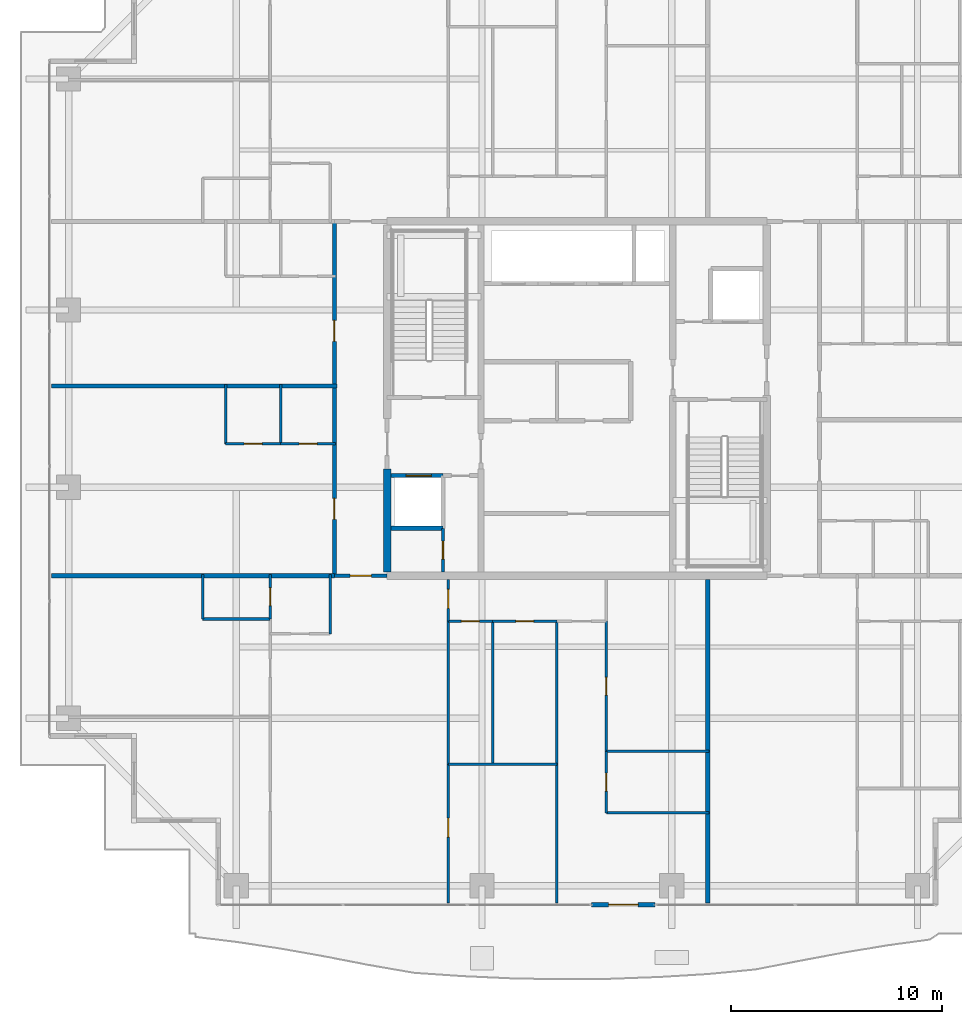
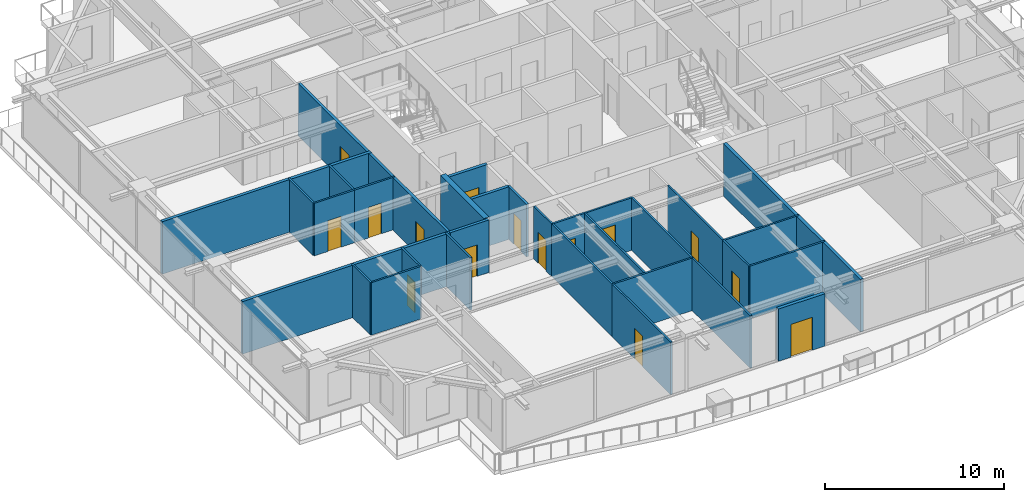
# One storey, part 26 of 38: 30 walls, 15 doors, 15 openings.
"""IFC4 building model written with IfcOpenShell, lengths in metres."""

import ifcopenshell
import ifcopenshell.guid

model = None  # the IFC model being written
_history = None  # IfcOwnerHistory: only IFC2X3 demands one
_inside = {}  # id of a spatial element -> (the spatial element, [elements in it])
_under = {}  # id of a project, library or spatial element -> (it, [spatial elements below it])
_declared = {}  # id of a project -> (the project, [libraries it declares])
_typed = {}  # id of a type object -> (the type object, [elements of that type])
_made_of = {}  # id of a material, layer set ... -> (it, [elements and type objects made of it])


def new_model(schema):
    """Start an empty IFC model of exactly this schema.

    Asked for "IFC4X3", IfcOpenShell would pick the latest addendum, in which some entities
    have other attributes; the version numbers below select the first issue.
    IFC2X3 requires an IfcOwnerHistory on every rooted entity: one is made here for all.
    """
    global model, _history
    if schema == "IFC4X3":
        model = ifcopenshell.file(schema_version=(4, 3, 0, 0))
    else:
        model = ifcopenshell.file(schema=schema)
    _inside.clear()
    _under.clear()
    _declared.clear()
    _typed.clear()
    _made_of.clear()
    _history = None
    if model.schema == "IFC2X3":
        org = make("IfcOrganization", Name="unknown")
        user = make(
            "IfcPersonAndOrganization",
            ThePerson=make("IfcPerson", FamilyName="unknown"),
            TheOrganization=org,
        )
        app = make(
            "IfcApplication",
            ApplicationDeveloper=org,
            Version="unknown",
            ApplicationFullName="unknown",
            ApplicationIdentifier="unknown",
        )
        _history = make(
            "IfcOwnerHistory",
            OwningUser=user,
            OwningApplication=app,
            ChangeAction="ADDED",
            CreationDate=0,
        )
    return model


def make(cls, **values):
    """One entity of the class cls with the attributes given. An attribute that is None is left unset."""
    return model.create_entity(
        cls, **{name: value for name, value in values.items() if value is not None}
    )


def rooted(cls, **values):
    """An entity with a GlobalId (a new one), such as an element, a storey or a relation."""
    return make(cls, GlobalId=ifcopenshell.guid.new(), OwnerHistory=_history, **values)


def si_unit(unit_type, name, prefix=None):
    """IfcSIUnit, for example si_unit("LENGTHUNIT", "METRE", prefix="MILLI")."""
    return make("IfcSIUnit", UnitType=unit_type, Prefix=prefix, Name=name)


def assignment(units):
    """IfcUnitAssignment: the units of a project."""
    return None if units is None else make("IfcUnitAssignment", Units=units)


def point(xyz):
    """IfcCartesianPoint."""
    return None if xyz is None else make("IfcCartesianPoint", Coordinates=xyz)


def direction(xyz):
    """IfcDirection."""
    return None if xyz is None else make("IfcDirection", DirectionRatios=xyz)


def frame(location, z_axis=None, x_axis=None):
    """IfcAxis2Placement3D, a coordinate frame: its origin and axes. An axis left out is left unset."""
    return make(
        "IfcAxis2Placement3D",
        Location=point(location),
        Axis=direction(z_axis),
        RefDirection=direction(x_axis),
    )


def frame_2d(location, x_axis=None):
    """IfcAxis2Placement2D, a coordinate frame in the plane: its origin and x axis."""
    return make(
        "IfcAxis2Placement2D", Location=point(location), RefDirection=direction(x_axis)
    )


def origin():
    """The frame at (0, 0, 0) with its axes left unset."""
    return frame((0.0, 0.0, 0.0))


def place(relative_to, where):
    """IfcLocalPlacement: puts the frame where relative to a parent placement (None: the world)."""
    return make(
        "IfcLocalPlacement", PlacementRelTo=relative_to, RelativePlacement=where
    )


def context(
    kind, dimensions, precision=None, world=None, true_north=None, identifier=None
):
    """IfcGeometricRepresentationContext, for example the 3D "Model" context."""
    return make(
        "IfcGeometricRepresentationContext",
        ContextIdentifier=identifier,
        ContextType=kind,
        CoordinateSpaceDimension=dimensions,
        Precision=precision,
        WorldCoordinateSystem=world,
        TrueNorth=true_north,
    )


def subcontext(parent, identifier, kind, view, scale=None):
    """IfcGeometricRepresentationSubContext, for example "Body" below "Model"."""
    return make(
        "IfcGeometricRepresentationSubContext",
        ContextIdentifier=identifier,
        ContextType=kind,
        ParentContext=parent,
        TargetScale=scale,
        TargetView=view,
    )


def project(units=None, contexts=None):
    """IfcProject with its units and contexts."""
    return rooted(
        "IfcProject",
        Name="project",
        RepresentationContexts=contexts,
        UnitsInContext=assignment(units),
    )


def spatial(cls, under=None, at=None, **own):
    """A site, building, storey or space (cls), placed at a placement, below another one or the project."""
    s = rooted(cls, ObjectPlacement=at, **own)
    if under is not None:
        _under.setdefault(under.id(), (under, []))[1].append(s)
    return s


def profile(cls, at=None, kind="AREA", **sizes):
    """A parametric profile (cls). Its sizes go by their IFC names, for example OverallWidth=200.0."""
    return make(cls, ProfileType=kind, Position=at, **sizes)


def rectangle(**sizes):
    """IfcRectangleProfileDef."""
    return profile("IfcRectangleProfileDef", **sizes)


def extrude(swept, where, along, depth):
    """IfcExtrudedAreaSolid: the profile swept, set in the frame where, extruded along a direction by depth."""
    return make(
        "IfcExtrudedAreaSolid",
        SweptArea=swept,
        Position=where,
        ExtrudedDirection=direction(along),
        Depth=depth,
    )


def shape(context_of_items, identifier, shape_type, items):
    """IfcShapeRepresentation: the items that make up one representation, for example the "Body"."""
    return make(
        "IfcShapeRepresentation",
        ContextOfItems=context_of_items,
        RepresentationIdentifier=identifier,
        RepresentationType=shape_type,
        Items=items,
    )


def source(mapping_origin, context_of_items, identifier, shape_type, items):
    """IfcRepresentationMap: a shape defined once, which mapped items show again and again."""
    return make(
        "IfcRepresentationMap",
        MappingOrigin=mapping_origin,
        MappedRepresentation=shape(context_of_items, identifier, shape_type, items),
    )


def transform(
    local_origin,
    x_axis=None,
    y_axis=None,
    z_axis=None,
    scale=None,
    scale2=None,
    scale3=None,
    uniform=True,
):
    """IfcCartesianTransformationOperator3D, or its non-uniform kind. x_axis, y_axis, z_axis: its Axis1, 2, 3."""
    if uniform:
        return make(
            "IfcCartesianTransformationOperator3D",
            Axis1=direction(x_axis),
            Axis2=direction(y_axis),
            LocalOrigin=point(local_origin),
            Scale=scale,
            Axis3=direction(z_axis),
        )
    return make(
        "IfcCartesianTransformationOperator3DnonUniform",
        Axis1=direction(x_axis),
        Axis2=direction(y_axis),
        LocalOrigin=point(local_origin),
        Scale=scale,
        Axis3=direction(z_axis),
        Scale2=scale2,
        Scale3=scale3,
    )


def mapped(mapping_source, mapping_target):
    """IfcMappedItem: shows the shape of a source again, moved by a transform."""
    return make(
        "IfcMappedItem", MappingSource=mapping_source, MappingTarget=mapping_target
    )


def material(Name=None, Category=None):
    """IfcMaterial."""
    return make("IfcMaterial", Name=Name, Category=Category)


def layer(
    of_material, thickness, ventilated=None, Name=None, Category=None, Priority=None
):
    """IfcMaterialLayer: one layer of a wall or slab, of a material (None: an air gap)."""
    return make(
        "IfcMaterialLayer",
        Material=of_material,
        LayerThickness=thickness,
        IsVentilated=ventilated,
        Name=Name,
        Category=Category,
        Priority=Priority,
    )


def layer_set(layers, Name=None):
    """IfcMaterialLayerSet."""
    return make("IfcMaterialLayerSet", MaterialLayers=layers, LayerSetName=Name)


def made_of(thing, what):
    """Note that an element or type object is made of a material, layer set ...; save() writes the relation."""
    if what is not None:
        _made_of.setdefault(what.id(), (what, []))[1].append(thing)
    return thing


def type_object(cls, material=None, **own):
    """A type object (cls), such as IfcWallType, which elements share."""
    return made_of(rooted(cls, **own), material)


def element(
    cls,
    number,
    at=None,
    inside=None,
    cuts=None,
    type_object=None,
    material=None,
    context=None,
    identifier="Body",
    shape_type=None,
    held_by="IfcProductDefinitionShape",
    body=None,
    shapes=None,
    **own,
):
    """One element of the class cls, such as IfcWall. Its Tag is "e" and its number.

    at: its placement. inside: the storey or other place that contains it. cuts: it is an
    opening in that element (IfcRelVoidsElement). A single representation is given by context,
    identifier, shape_type and body (its items); several are given by shapes. held_by: the class
    of the entity that holds the representations. save() writes the other relations.
    """
    e = rooted(cls, Tag="e%d" % number, ObjectPlacement=at, **own)
    if body is not None:
        shapes = [shape(context, identifier, shape_type, body)]
    if shapes is not None:
        e.Representation = make(held_by, Representations=shapes)
    if inside is not None:
        _inside.setdefault(inside.id(), (inside, []))[1].append(e)
    if cuts is not None:
        rooted(
            "IfcRelVoidsElement", RelatingBuildingElement=cuts, RelatedOpeningElement=e
        )
    if type_object is not None:
        _typed.setdefault(type_object.id(), (type_object, []))[1].append(e)
    return made_of(e, material)


def fill(opening, filler):
    """IfcRelFillsElement: the door or window that sits in an opening."""
    return rooted(
        "IfcRelFillsElement",
        RelatingOpeningElement=opening,
        RelatedBuildingElement=filler,
    )


def aggregate(whole, parts):
    """IfcRelAggregates: a whole, such as a stair, and the parts it consists of."""
    return rooted("IfcRelAggregates", RelatingObject=whole, RelatedObjects=parts)


def save(model, path):
    """Write the relations noted so far, then the file.

    IfcRelAggregates (storeys below a building ...), IfcRelContainedInSpatialStructure (elements
    in a storey), IfcRelDefinesByType, IfcRelAssociatesMaterial and IfcRelDeclares: one each for
    every whole, place, type object, material and project.
    """
    for whole, parts in _under.values():
        aggregate(whole, parts)
    for where, things in _inside.values():
        rooted(
            "IfcRelContainedInSpatialStructure",
            RelatedElements=things,
            RelatingStructure=where,
        )
    for kind, things in _typed.values():
        rooted("IfcRelDefinesByType", RelatedObjects=things, RelatingType=kind)
    for what, things in _made_of.values():
        rooted("IfcRelAssociatesMaterial", RelatedObjects=things, RelatingMaterial=what)
    for by, libraries in _declared.values():
        rooted("IfcRelDeclares", RelatingContext=by, RelatedDefinitions=libraries)
    model.write(path)


model = new_model("IFC4")

# Units and contexts
model_context = context("Model", 3, precision=1e-05, world=origin(), true_north=direction((0.0, 1.0)))
body_context = subcontext(model_context, "Body", "Model", "MODEL_VIEW")
ifc_project = project(units=[si_unit("LENGTHUNIT", "METRE"), si_unit("AREAUNIT", "SQUARE_METRE"), si_unit("VOLUMEUNIT", "CUBIC_METRE"), si_unit("PLANEANGLEUNIT", "RADIAN"), si_unit("MASSUNIT", "GRAM", prefix="KILO")], contexts=[model_context])

# Site, building, storey
site_placement = place(None, origin())
site = spatial("IfcSite", under=ifc_project, at=site_placement, CompositionType="ELEMENT")
building_placement = place(site_placement, origin())
building = spatial("IfcBuilding", under=site, at=building_placement, Name="Serunith Strait Residences", CompositionType="ELEMENT")
storey_placement = place(building_placement, frame((0.0, 0.0, 245.10009765625)))
storey = spatial("IfcBuildingStorey", under=building, at=storey_placement, Name="L61", CompositionType="ELEMENT", Elevation=245.10009765625)

# Wall, opening, door
ifc_material_1 = material(Name="Pale-Champagne Aluminium Insulated Panel", Category="aluminium")
ifc_layer_1 = layer(ifc_material_1, 0.219970703125, Name="Pale-Champagne Aluminium Insulated Panel")
ifc_layer_set_1 = layer_set([ifc_layer_1], Name="Pale-Champagne Aluminium Insulated Panel")
wall_type_1 = type_object("IfcWallType", Name="EW-ALUM-220", PredefinedType="ELEMENTEDWALL", material=ifc_layer_set_1)
wall_1_placement = place(storey_placement, frame((33.10009765625, 1.199951171875, 0.0), z_axis=(0.0, 0.0, 1.0), x_axis=(1.0, 0.0, 0.0)))
wall_1 = element("IfcWall", 1, at=wall_1_placement, inside=storey, type_object=wall_type_1, Name="L61 S Facade Pier Wall", PredefinedType="ELEMENTEDWALL", context=body_context, shape_type="SweptSolid", body=[
    extrude(rectangle(XDim=3.0, YDim=0.219970703125, at=frame_2d((1.5, 0.0))), origin(), (0.0, 0.0, 1.0), 3.574951171875),
])
opening_1_placement = place(wall_1_placement, frame((0.800048828125, 0.0, 0.0)))
opening_1 = element("IfcOpeningElement", 2, at=opening_1_placement, cuts=wall_1, Name="Opening ED-04", PredefinedType="OPENING", context=body_context, shape_type="SweptSolid", body=[
    extrude(rectangle(XDim=1.39990234375, YDim=2.25, at=frame_2d((0.699951171875, 1.125))), frame((0.0, 0.1201171875, 0.0), z_axis=(0.0, -1.0, 0.0), x_axis=(1.0, 0.0, 0.0)), (0.0, 0.0, 1.0), 0.239990234375),
])
ifc_material_2 = material(Name="Thermally-Broken Aluminium Sliding Balcony Door", Category="aluminium")
door_type_1 = type_object("IfcDoorType", Name="ED-BALC-1400", OperationType="NOTDEFINED", PredefinedType="DOOR", material=ifc_material_2)
shared_shape_1 = source(origin(), body_context, "Body", "SweptSolid", [
    extrude(rectangle(XDim=1.39990234375, YDim=2.25, at=frame_2d((0.699951171875, 1.125))), frame((0.0, 0.02490234375, 0.0), z_axis=(0.0, -1.0, 0.0), x_axis=(1.0, 0.0, 0.0)), (0.0, 0.0, 1.0), 0.050048828125),
])
door_1_placement = place(opening_1_placement, origin())
door_1 = element("IfcDoor", 3, at=door_1_placement, inside=storey, type_object=door_type_1, Name="L61 S Vertical-Forest Balcony Door", OperationType="SLIDING_TO_LEFT", OverallHeight=2.25, OverallWidth=1.39990234375, PredefinedType="DOOR", context=body_context, shape_type="MappedRepresentation", body=[
    mapped(shared_shape_1, transform((0.0, 0.0, 0.0), scale=1.0)),
])
fill(opening_1, door_1)

ifc_material_3 = material(Name="Fire-rated masonry service closet wall", Category="masonry")
ifc_layer_2 = layer(ifc_material_3, 0.14990234375, Name="Fire-rated masonry service closet wall")
ifc_layer_set_2 = layer_set([ifc_layer_2], Name="Fire-rated masonry service closet wall")
wall_type_2 = type_object("IfcWallType", Name="IW-BOH-150", PredefinedType="PARTITIONING", material=ifc_layer_set_2)
wall_2_placement = place(storey_placement, frame((26.050048828125, 16.97509765625, 0.0), z_axis=(0.0, 0.0, 1.0), x_axis=(0.0, 1.0, 0.0)))
wall_2 = element("IfcWall", 4, at=wall_2_placement, inside=storey, type_object=wall_type_2, Name="L61 Partition Wall 011", PredefinedType="PARTITIONING", context=body_context, shape_type="SweptSolid", body=[
    extrude(rectangle(XDim=2.072998046875, YDim=0.14990234375, at=frame_2d((1.03662109375, 0.0))), origin(), (0.0, 0.0, 1.0), 3.58984375),
])
opening_2_placement = place(wall_2_placement, frame((0.611083984375, 0.0, 0.0)))
opening_2 = element("IfcOpeningElement", 5, at=opening_2_placement, cuts=wall_2, Name="Opening FD-850", PredefinedType="OPENING", context=body_context, shape_type="SweptSolid", body=[
    extrude(rectangle(XDim=0.85009765625, YDim=2.10009765625, at=frame_2d((0.425048828125, 1.050048828125))), frame((0.0, 0.0849609375, 0.0), z_axis=(0.0, -1.0, 0.0), x_axis=(1.0, 0.0, 0.0)), (0.0, 0.0, 1.0), 0.169921875),
])
ifc_material_4 = material(Name="Powder-coated steel service closet door", Category="steel")
door_type_2 = type_object("IfcDoorType", Name="FD-BOH-850", OperationType="NOTDEFINED", PredefinedType="DOOR", material=ifc_material_4)
shared_shape_2 = source(origin(), body_context, "Body", "SweptSolid", [
    extrude(rectangle(XDim=0.85009765625, YDim=2.10009765625, at=frame_2d((0.425048828125, 1.050048828125))), frame((0.0, 0.02490234375, 0.0), z_axis=(0.0, -1.0, 0.0), x_axis=(1.0, 0.0, 0.0)), (0.0, 0.0, 1.0), 0.050048828125),
])
door_2_placement = place(opening_2_placement, origin())
door_2 = element("IfcDoor", 6, at=door_2_placement, inside=storey, type_object=door_type_2, Name="L61 Cleaner Store Door", OperationType="SINGLE_SWING_LEFT", OverallHeight=2.10009765625, OverallWidth=0.85009765625, PredefinedType="DOOR", context=body_context, shape_type="MappedRepresentation", body=[
    mapped(shared_shape_2, transform((0.0, 0.0, 0.0), scale=1.0)),
])
fill(opening_2, door_2)

ifc_material_5 = material(Name="Fire-rated acoustic gypsum partition")
ifc_layer_3 = layer(ifc_material_5, 0.179931640625, Name="Fire-rated acoustic gypsum partition")
ifc_layer_set_3 = layer_set([ifc_layer_3], Name="Fire-rated acoustic gypsum partition")
wall_type_3 = type_object("IfcWallType", Name="IW-CORR-180", PredefinedType="PARTITIONING", material=ifc_layer_set_3)
wall_3_placement = place(storey_placement, frame((20.902099609375, 16.800048828125, 0.0), z_axis=(0.0, 0.0, 1.0), x_axis=(1.0, 0.0, 0.0)))
wall_3 = element("IfcWall", 7, at=wall_3_placement, inside=storey, type_object=wall_type_3, Name="L61 Partition Wall 026", PredefinedType="PARTITIONING", context=body_context, shape_type="SweptSolid", body=[
    extrude(rectangle(XDim=2.495849609375, YDim=0.179931640625, at=frame_2d((1.248046875, 0.0))), origin(), (0.0, 0.0, 1.0), 3.58984375),
])
opening_3_placement = place(wall_3_placement, frame((0.748046875, 0.0, 0.0)))
opening_3 = element("IfcOpeningElement", 8, at=opening_3_placement, cuts=wall_3, Name="Opening D-APT1000", PredefinedType="OPENING", context=body_context, shape_type="SweptSolid", body=[
    extrude(rectangle(XDim=1.0, YDim=2.14990234375, at=frame_2d((0.5, 1.074951171875))), frame((0.0, 0.10009765625, 0.0), z_axis=(0.0, -1.0, 0.0), x_axis=(1.0, 0.0, 0.0)), (0.0, 0.0, 1.0), 0.199951171875),
])
ifc_material_6 = material(Name="Solid timber engineered fire door", Category="wood")
door_type_3 = type_object("IfcDoorType", Name="ID-APT-1000", OperationType="NOTDEFINED", PredefinedType="DOOR", material=ifc_material_6)
shared_shape_3 = source(origin(), body_context, "Body", "SweptSolid", [
    extrude(rectangle(XDim=1.0, YDim=2.14990234375, at=frame_2d((0.5, 1.074951171875))), frame((0.0, 0.02490234375, 0.0), z_axis=(0.0, -1.0, 0.0), x_axis=(1.0, 0.0, 0.0)), (0.0, 0.0, 1.0), 0.050048828125),
])
door_3_placement = place(opening_3_placement, origin())
door_3 = element("IfcDoor", 9, at=door_3_placement, inside=storey, type_object=door_type_3, Name="L61 Unit 01 Entrance Door", OperationType="SINGLE_SWING_LEFT", OverallHeight=2.14990234375, OverallWidth=1.0, PredefinedType="DOOR", context=body_context, shape_type="MappedRepresentation", body=[
    mapped(shared_shape_3, transform((0.0, 0.0, 0.0), scale=1.0)),
])
fill(opening_3, door_3)

# Wall, openings, doors
wall_4_placement = place(storey_placement, frame((20.89990234375, 16.800048828125, 0.0), z_axis=(0.0, 0.0, 1.0), x_axis=(0.0, 1.0, 0.0)))
wall_4 = element("IfcWall", 10, at=wall_4_placement, inside=storey, type_object=wall_type_3, Name="L61 Partition Wall 028", PredefinedType="PARTITIONING", context=body_context, shape_type="SweptSolid", body=[
    extrude(rectangle(XDim=16.800048828125, YDim=0.179931640625, at=frame_2d((8.39990234375, 0.0))), origin(), (0.0, 0.0, 1.0), 3.58984375),
])
opening_4_placement = place(wall_4_placement, frame((2.669921875, 0.0, 0.0)))
opening_4 = element("IfcOpeningElement", 11, at=opening_4_placement, cuts=wall_4, Name="Opening D-APT1000", PredefinedType="OPENING", context=body_context, shape_type="SweptSolid", body=[
    extrude(rectangle(XDim=1.0, YDim=2.14990234375, at=frame_2d((0.5, 1.074951171875))), frame((0.0, 0.10009765625, 0.0), z_axis=(0.0, -1.0, 0.0), x_axis=(1.0, 0.0, 0.0)), (0.0, 0.0, 1.0), 0.199951171875),
])
opening_5_placement = place(wall_4_placement, frame((11.10693359375, 0.0, 0.0)))
opening_5 = element("IfcOpeningElement", 12, at=opening_5_placement, cuts=wall_4, Name="Opening D-APT1000", PredefinedType="OPENING", context=body_context, shape_type="SweptSolid", body=[
    extrude(rectangle(XDim=1.0, YDim=2.14990234375, at=frame_2d((0.5, 1.074951171875))), frame((0.0, 0.10009765625, 0.0), z_axis=(0.0, -1.0, 0.0), x_axis=(1.0, 0.0, 0.0)), (0.0, 0.0, 1.0), 0.199951171875),
])
door_4_placement = place(opening_4_placement, origin())
door_4 = element("IfcDoor", 13, at=door_4_placement, inside=storey, type_object=door_type_3, Name="L61 Unit 05 Entrance Door", OperationType="SINGLE_SWING_LEFT", OverallHeight=2.14990234375, OverallWidth=1.0, PredefinedType="DOOR", context=body_context, shape_type="MappedRepresentation", body=[
    mapped(shared_shape_3, transform((0.0, 0.0, 0.0), scale=1.0)),
])
fill(opening_4, door_4)
door_5_placement = place(opening_5_placement, origin())
door_5 = element("IfcDoor", 14, at=door_5_placement, inside=storey, type_object=door_type_3, Name="L61 Unit 06 Entrance Door", OperationType="SINGLE_SWING_RIGHT", OverallHeight=2.14990234375, OverallWidth=1.0, PredefinedType="DOOR", context=body_context, shape_type="MappedRepresentation", body=[
    mapped(shared_shape_3, transform((0.0, 0.0, 0.0), scale=1.0)),
])
fill(opening_5, door_5)

# Walls
ifc_material_7 = material(Name="Lightweight steel-stud gypsum partition", Category="steel")
ifc_layer_4 = layer(ifc_material_7, 0.1201171875, Name="Lightweight steel-stud gypsum partition")
ifc_layer_set_4 = layer_set([ifc_layer_4], Name="Lightweight steel-stud gypsum partition")
wall_type_4 = type_object("IfcWallType", Name="IW-PART-120", PredefinedType="PARTITIONING", material=ifc_layer_set_4)
wall_5_placement = place(storey_placement, frame((20.699951171875, 14.050048828125, 0.0), z_axis=(0.0, 0.0, 1.0), x_axis=(0.0, 1.0, 0.0)))
element("IfcWall", 15, at=wall_5_placement, inside=storey, type_object=wall_type_4, Name="L61 Partition Wall 033", PredefinedType="PARTITIONING", context=body_context, shape_type="SweptSolid", body=[
    extrude(rectangle(XDim=2.81005859375, YDim=0.1201171875, at=frame_2d((1.405029296875, 0.0))), origin(), (0.0, 0.0, 1.0), 3.58984375),
])
wall_6_placement = place(storey_placement, frame((14.64990234375, 14.75, 0.0), z_axis=(0.0, 0.0, 1.0), x_axis=(1.0, 0.0, 0.0)))
element("IfcWall", 16, at=wall_6_placement, inside=storey, type_object=wall_type_4, Name="L61 Partition Wall 036", PredefinedType="PARTITIONING", context=body_context, shape_type="SweptSolid", body=[
    extrude(rectangle(XDim=3.2001953125, YDim=0.1201171875, at=frame_2d((1.60009765625, 0.0))), origin(), (0.0, 0.0, 1.0), 3.58984375),
])
wall_7_placement = place(storey_placement, frame((14.64990234375, 14.75, 0.0), z_axis=(0.0, 0.0, 1.0), x_axis=(0.0, 1.0, 0.0)))
element("IfcWall", 17, at=wall_7_placement, inside=storey, type_object=wall_type_4, Name="L61 Partition Wall 037", PredefinedType="PARTITIONING", context=body_context, shape_type="SweptSolid", body=[
    extrude(rectangle(XDim=2.110107421875, YDim=0.1201171875, at=frame_2d((1.05517578125, 0.0))), origin(), (0.0, 0.0, 1.0), 3.58984375),
])

# Wall, opening, door
wall_8_placement = place(storey_placement, frame((17.85009765625, 14.751953125, 0.0), z_axis=(0.0, 0.0, 1.0), x_axis=(0.0, 1.0, 0.0)))
wall_8 = element("IfcWall", 18, at=wall_8_placement, inside=storey, type_object=wall_type_4, Name="L61 Partition Wall 039", PredefinedType="PARTITIONING", context=body_context, shape_type="SweptSolid", body=[
    extrude(rectangle(XDim=2.108154296875, YDim=0.1201171875, at=frame_2d((1.05419921875, 0.0))), origin(), (0.0, 0.0, 1.0), 3.58984375),
])
opening_6_placement = place(wall_8_placement, frame((0.62890625, 0.0, 0.0)))
opening_6 = element("IfcOpeningElement", 19, at=opening_6_placement, cuts=wall_8, Name="Opening D-BTH850", PredefinedType="OPENING", context=body_context, shape_type="SweptSolid", body=[
    extrude(rectangle(XDim=0.85009765625, YDim=2.10009765625, at=frame_2d((0.425048828125, 1.050048828125))), frame((0.0, 0.070068359375, 0.0), z_axis=(0.0, -1.0, 0.0), x_axis=(1.0, 0.0, 0.0)), (0.0, 0.0, 1.0), 0.14013671875),
])
ifc_material_8 = material(Name="Moisture-resistant timber bathroom door", Category="wood")
door_type_4 = type_object("IfcDoorType", Name="ID-BATH-850", OperationType="NOTDEFINED", PredefinedType="DOOR", material=ifc_material_8)
door_6_placement = place(opening_6_placement, origin())
door_6 = element("IfcDoor", 20, at=door_6_placement, inside=storey, type_object=door_type_4, Name="L61 Bathroom 6101 Door", OperationType="SINGLE_SWING_RIGHT", OverallHeight=2.10009765625, OverallWidth=0.85009765625, PredefinedType="DOOR", context=body_context, shape_type="MappedRepresentation", body=[
    mapped(shared_shape_2, transform((0.0, 0.0, 0.0), scale=1.0)),
])
fill(opening_6, door_6)

wall_9_placement = place(storey_placement, frame((26.300048828125, 14.64990234375, 0.0), z_axis=(0.0, 0.0, 1.0), x_axis=(0.0, 1.0, 0.0)))
wall_9 = element("IfcWall", 21, at=wall_9_placement, inside=storey, type_object=wall_type_4, Name="L61 Partition Wall 040", PredefinedType="PARTITIONING", context=body_context, shape_type="SweptSolid", body=[
    extrude(rectangle(XDim=1.97509765625, YDim=0.1201171875, at=frame_2d((0.987548828125, 0.0))), origin(), (0.0, 0.0, 1.0), 3.58984375),
])
opening_7_placement = place(wall_9_placement, frame((0.60107421875, 0.0, 0.0)))
opening_7 = element("IfcOpeningElement", 22, at=opening_7_placement, cuts=wall_9, Name="Opening D-RM900", PredefinedType="OPENING", context=body_context, shape_type="SweptSolid", body=[
    extrude(rectangle(XDim=0.89990234375, YDim=2.10009765625, at=frame_2d((0.449951171875, 1.050048828125))), frame((0.0, 0.070068359375, 0.0), z_axis=(0.0, -1.0, 0.0), x_axis=(1.0, 0.0, 0.0)), (0.0, 0.0, 1.0), 0.14013671875),
])
ifc_material_9 = material(Name="Engineered timber flush bedroom door", Category="wood")
door_type_5 = type_object("IfcDoorType", Name="ID-ROOM-900", OperationType="NOTDEFINED", PredefinedType="DOOR", material=ifc_material_9)
shared_shape_4 = source(origin(), body_context, "Body", "SweptSolid", [
    extrude(rectangle(XDim=0.89990234375, YDim=2.10009765625, at=frame_2d((0.449951171875, 1.050048828125))), frame((0.0, 0.02490234375, 0.0), z_axis=(0.0, -1.0, 0.0), x_axis=(1.0, 0.0, 0.0)), (0.0, 0.0, 1.0), 0.050048828125),
])
door_7_placement = place(opening_7_placement, origin())
door_7 = element("IfcDoor", 23, at=door_7_placement, inside=storey, type_object=door_type_5, Name="L61 Hall E 6101 Door", OperationType="SINGLE_SWING_LEFT", OverallHeight=2.10009765625, OverallWidth=0.89990234375, PredefinedType="DOOR", context=body_context, shape_type="MappedRepresentation", body=[
    mapped(shared_shape_4, transform((0.0, 0.0, 0.0), scale=1.0)),
])
fill(opening_7, door_7)

wall_10_placement = place(storey_placement, frame((26.300048828125, 1.294921875, 0.0), z_axis=(0.0, 0.0, 1.0), x_axis=(0.0, 1.0, 0.0)))
wall_10 = element("IfcWall", 24, at=wall_10_placement, inside=storey, type_object=wall_type_4, Name="L61 Partition Wall 041", PredefinedType="PARTITIONING", context=body_context, shape_type="SweptSolid", body=[
    extrude(rectangle(XDim=6.565185546875, YDim=0.1201171875, at=frame_2d((3.28271484375, 0.0))), origin(), (0.0, 0.0, 1.0), 3.58984375),
])
opening_8_placement = place(wall_10_placement, frame((3.115966796875, 0.0, 0.0)))
opening_8 = element("IfcOpeningElement", 25, at=opening_8_placement, cuts=wall_10, Name="Opening D-RM900", PredefinedType="OPENING", context=body_context, shape_type="SweptSolid", body=[
    extrude(rectangle(XDim=0.89990234375, YDim=2.10009765625, at=frame_2d((0.449951171875, 1.050048828125))), frame((0.0, 0.070068359375, 0.0), z_axis=(0.0, -1.0, 0.0), x_axis=(1.0, 0.0, 0.0)), (0.0, 0.0, 1.0), 0.14013671875),
])
door_8_placement = place(opening_8_placement, origin())
door_8 = element("IfcDoor", 26, at=door_8_placement, inside=storey, type_object=door_type_5, Name="L61 Formal Dining Room 2 6101 Door", OperationType="SINGLE_SWING_RIGHT", OverallHeight=2.10009765625, OverallWidth=0.89990234375, PredefinedType="DOOR", context=body_context, shape_type="MappedRepresentation", body=[
    mapped(shared_shape_4, transform((0.0, 0.0, 0.0), scale=1.0)),
])
fill(opening_8, door_8)

# Walls
wall_11_placement = place(storey_placement, frame((26.300048828125, 7.862060546875, 0.0), z_axis=(0.0, 0.0, 1.0), x_axis=(0.0, 1.0, 0.0)))
element("IfcWall", 27, at=wall_11_placement, inside=storey, type_object=wall_type_4, Name="L61 Partition Wall 042", PredefinedType="PARTITIONING", context=body_context, shape_type="SweptSolid", body=[
    extrude(rectangle(XDim=6.785888671875, YDim=0.1201171875, at=frame_2d((3.39306640625, 0.0))), origin(), (0.0, 0.0, 1.0), 3.58984375),
])
wall_12_placement = place(storey_placement, frame((26.300048828125, 7.860107421875, 0.0), z_axis=(0.0, 0.0, 1.0), x_axis=(1.0, 0.0, 0.0)))
element("IfcWall", 28, at=wall_12_placement, inside=storey, type_object=wall_type_4, Name="L61 Partition Wall 043", PredefinedType="PARTITIONING", context=body_context, shape_type="SweptSolid", body=[
    extrude(rectangle(XDim=5.14990234375, YDim=0.1201171875, at=frame_2d((2.574951171875, 0.0))), origin(), (0.0, 0.0, 1.0), 3.58984375),
])
wall_13_placement = place(storey_placement, frame((31.449951171875, 1.294921875, 0.0), z_axis=(0.0, 0.0, 1.0), x_axis=(0.0, 1.0, 0.0)))
element("IfcWall", 29, at=wall_13_placement, inside=storey, type_object=wall_type_4, Name="L61 Partition Wall 044", PredefinedType="PARTITIONING", context=body_context, shape_type="SweptSolid", body=[
    extrude(rectangle(XDim=13.35498046875, YDim=0.1201171875, at=frame_2d((6.677490234375, 0.0))), origin(), (0.0, 0.0, 1.0), 3.58984375),
])
wall_14_placement = place(storey_placement, frame((28.39990234375, 7.860107421875, 0.0), z_axis=(0.0, 0.0, 1.0), x_axis=(0.0, 1.0, 0.0)))
element("IfcWall", 30, at=wall_14_placement, inside=storey, type_object=wall_type_4, Name="L61 Partition Wall 045", PredefinedType="PARTITIONING", context=body_context, shape_type="SweptSolid", body=[
    extrude(rectangle(XDim=6.789794921875, YDim=0.1201171875, at=frame_2d((3.39501953125, 0.0))), origin(), (0.0, 0.0, 1.0), 3.58984375),
])

# Wall, opening, door
wall_15_placement = place(storey_placement, frame((26.300048828125, 14.64990234375, 0.0), z_axis=(0.0, 0.0, 1.0), x_axis=(1.0, 0.0, 0.0)))
wall_15 = element("IfcWall", 31, at=wall_15_placement, inside=storey, type_object=wall_type_4, Name="L61 Partition Wall 046", PredefinedType="PARTITIONING", context=body_context, shape_type="SweptSolid", body=[
    extrude(rectangle(XDim=2.099853515625, YDim=0.1201171875, at=frame_2d((1.0498046875, 0.0))), origin(), (0.0, 0.0, 1.0), 3.58984375),
])
opening_9_placement = place(wall_15_placement, frame((0.625, 0.0, 0.0)))
opening_9 = element("IfcOpeningElement", 32, at=opening_9_placement, cuts=wall_15, Name="Opening D-RM850", PredefinedType="OPENING", context=body_context, shape_type="SweptSolid", body=[
    extrude(rectangle(XDim=0.85009765625, YDim=2.10009765625, at=frame_2d((0.425048828125, 1.050048828125))), frame((0.0, 0.070068359375, 0.0), z_axis=(0.0, -1.0, 0.0), x_axis=(1.0, 0.0, 0.0)), (0.0, 0.0, 1.0), 0.14013671875),
])
ifc_material_10 = material(Name="Engineered timber flush study and kitchen door", Category="wood")
door_type_6 = type_object("IfcDoorType", Name="ID-ROOM-850", OperationType="NOTDEFINED", PredefinedType="DOOR", material=ifc_material_10)
door_9_placement = place(opening_9_placement, origin())
door_9 = element("IfcDoor", 33, at=door_9_placement, inside=storey, type_object=door_type_6, Name="L61 Study 6101 Door", OperationType="SINGLE_SWING_LEFT", OverallHeight=2.10009765625, OverallWidth=0.85009765625, PredefinedType="DOOR", context=body_context, shape_type="MappedRepresentation", body=[
    mapped(shared_shape_2, transform((0.0, 0.0, 0.0), scale=1.0)),
])
fill(opening_9, door_9)

wall_16_placement = place(storey_placement, frame((28.402099609375, 14.64990234375, 0.0), z_axis=(0.0, 0.0, 1.0), x_axis=(1.0, 0.0, 0.0)))
wall_16 = element("IfcWall", 34, at=wall_16_placement, inside=storey, type_object=wall_type_4, Name="L61 Partition Wall 047", PredefinedType="PARTITIONING", context=body_context, shape_type="SweptSolid", body=[
    extrude(rectangle(XDim=3.0478515625, YDim=0.1201171875, at=frame_2d((1.52392578125, 0.0))), origin(), (0.0, 0.0, 1.0), 3.58984375),
])
opening_10_placement = place(wall_16_placement, frame((1.09912109375, 0.0, 0.0)))
opening_10 = element("IfcOpeningElement", 35, at=opening_10_placement, cuts=wall_16, Name="Opening D-RM850", PredefinedType="OPENING", context=body_context, shape_type="SweptSolid", body=[
    extrude(rectangle(XDim=0.85009765625, YDim=2.10009765625, at=frame_2d((0.425048828125, 1.050048828125))), frame((0.0, 0.070068359375, 0.0), z_axis=(0.0, -1.0, 0.0), x_axis=(1.0, 0.0, 0.0)), (0.0, 0.0, 1.0), 0.14013671875),
])
door_10_placement = place(opening_10_placement, origin())
door_10 = element("IfcDoor", 36, at=door_10_placement, inside=storey, type_object=door_type_6, Name="L61 Formal Dining Room 6101 Door", OperationType="SINGLE_SWING_RIGHT", OverallHeight=2.10009765625, OverallWidth=0.85009765625, PredefinedType="DOOR", context=body_context, shape_type="MappedRepresentation", body=[
    mapped(shared_shape_2, transform((0.0, 0.0, 0.0), scale=1.0)),
])
fill(opening_10, door_10)

# Walls
for number, where, z_axis, x_axis, name in (
    (37, (33.800048828125, 5.552978515625, 0.0), (0.0, 0.0, 1.0), (1.0, 0.0, 0.0), "L61 Partition Wall 049"),
    (38, (33.800048828125, 8.469970703125, 0.0), (0.0, 0.0, 1.0), (1.0, 0.0, 0.0), "L61 Partition Wall 050"),
):
    element("IfcWall", number, at=place(storey_placement, frame(where, z_axis=z_axis, x_axis=x_axis)), inside=storey, type_object=wall_type_4, Name=name, PredefinedType="PARTITIONING", context=body_context, shape_type="SweptSolid", body=[
        extrude(rectangle(XDim=4.85986328125, YDim=0.1201171875, at=frame_2d((2.429931640625, 0.0))), origin(), (0.0, 0.0, 1.0), 3.58984375),
    ])

# Wall, opening, door
wall_17_placement = place(storey_placement, frame((33.800048828125, 5.552978515625, 0.0), z_axis=(0.0, 0.0, 1.0), x_axis=(0.0, 1.0, 0.0)))
wall_17 = element("IfcWall", 39, at=wall_17_placement, inside=storey, type_object=wall_type_4, Name="L61 Partition Wall 051", PredefinedType="PARTITIONING", context=body_context, shape_type="SweptSolid", body=[
    extrude(rectangle(XDim=2.9169921875, YDim=0.1201171875, at=frame_2d((1.45849609375, 0.0))), origin(), (0.0, 0.0, 1.0), 3.58984375),
])
opening_11_placement = place(wall_17_placement, frame((1.033935546875, 0.0, 0.0)))
opening_11 = element("IfcOpeningElement", 40, at=opening_11_placement, cuts=wall_17, Name="Opening D-BTH850", PredefinedType="OPENING", context=body_context, shape_type="SweptSolid", body=[
    extrude(rectangle(XDim=0.85009765625, YDim=2.10009765625, at=frame_2d((0.425048828125, 1.050048828125))), frame((0.0, 0.070068359375, 0.0), z_axis=(0.0, -1.0, 0.0), x_axis=(1.0, 0.0, 0.0)), (0.0, 0.0, 1.0), 0.14013671875),
])
door_11_placement = place(opening_11_placement, origin())
door_11 = element("IfcDoor", 41, at=door_11_placement, inside=storey, type_object=door_type_4, Name="L61 En-suite Bathroom E 6101 Door", OperationType="SINGLE_SWING_RIGHT", OverallHeight=2.10009765625, OverallWidth=0.85009765625, PredefinedType="DOOR", context=body_context, shape_type="MappedRepresentation", body=[
    mapped(shared_shape_2, transform((0.0, 0.0, 0.0), scale=1.0)),
])
fill(opening_11, door_11)

wall_18_placement = place(storey_placement, frame((33.800048828125, 8.471923828125, 0.0), z_axis=(0.0, 0.0, 1.0), x_axis=(0.0, 1.0, 0.0)))
wall_18 = element("IfcWall", 42, at=wall_18_placement, inside=storey, type_object=wall_type_4, Name="L61 Partition Wall 052", PredefinedType="PARTITIONING", context=body_context, shape_type="SweptSolid", body=[
    extrude(rectangle(XDim=6.177978515625, YDim=0.1201171875, at=frame_2d((3.0888671875, 0.0))), origin(), (0.0, 0.0, 1.0), 3.58984375),
])
opening_12_placement = place(wall_18_placement, frame((2.6640625, 0.0, 0.0)))
opening_12 = element("IfcOpeningElement", 43, at=opening_12_placement, cuts=wall_18, Name="Opening D-RM850", PredefinedType="OPENING", context=body_context, shape_type="SweptSolid", body=[
    extrude(rectangle(XDim=0.85009765625, YDim=2.10009765625, at=frame_2d((0.425048828125, 1.050048828125))), frame((0.0, 0.070068359375, 0.0), z_axis=(0.0, -1.0, 0.0), x_axis=(1.0, 0.0, 0.0)), (0.0, 0.0, 1.0), 0.14013671875),
])
door_12_placement = place(opening_12_placement, origin())
door_12 = element("IfcDoor", 44, at=door_12_placement, inside=storey, type_object=door_type_6, Name="L61 Wardrobe E 6101 Door", OperationType="SINGLE_SWING_LEFT", OverallHeight=2.10009765625, OverallWidth=0.85009765625, PredefinedType="DOOR", context=body_context, shape_type="MappedRepresentation", body=[
    mapped(shared_shape_2, transform((0.0, 0.0, 0.0), scale=1.0)),
])
fill(opening_12, door_12)

wall_19_placement = place(storey_placement, frame((15.75, 23.050048828125, 0.0), z_axis=(0.0, 0.0, 1.0), x_axis=(1.0, 0.0, 0.0)))
wall_19 = element("IfcWall", 45, at=wall_19_placement, inside=storey, type_object=wall_type_4, Name="L61 Partition Wall 102", PredefinedType="PARTITIONING", context=body_context, shape_type="SweptSolid", body=[
    extrude(rectangle(XDim=2.60009765625, YDim=0.1201171875, at=frame_2d((1.300048828125, 0.0))), origin(), (0.0, 0.0, 1.0), 3.58984375),
])
opening_13_placement = place(wall_19_placement, frame((0.875, 0.0, 0.0)))
opening_13 = element("IfcOpeningElement", 46, at=opening_13_placement, cuts=wall_19, Name="Opening D-RM850", PredefinedType="OPENING", context=body_context, shape_type="SweptSolid", body=[
    extrude(rectangle(XDim=0.85009765625, YDim=2.10009765625, at=frame_2d((0.425048828125, 1.050048828125))), frame((0.0, 0.070068359375, 0.0), z_axis=(0.0, -1.0, 0.0), x_axis=(1.0, 0.0, 0.0)), (0.0, 0.0, 1.0), 0.14013671875),
])
door_13_placement = place(opening_13_placement, origin())
door_13 = element("IfcDoor", 47, at=door_13_placement, inside=storey, type_object=door_type_6, Name="L61 Kitchen 6105 Door", OperationType="SINGLE_SWING_LEFT", OverallHeight=2.10009765625, OverallWidth=0.85009765625, PredefinedType="DOOR", context=body_context, shape_type="MappedRepresentation", body=[
    mapped(shared_shape_2, transform((0.0, 0.0, 0.0), scale=1.0)),
])
fill(opening_13, door_13)

wall_20_placement = place(storey_placement, frame((18.35205078125, 23.050048828125, 0.0), z_axis=(0.0, 0.0, 1.0), x_axis=(1.0, 0.0, 0.0)))
wall_20 = element("IfcWall", 48, at=wall_20_placement, inside=storey, type_object=wall_type_4, Name="L61 Partition Wall 103", PredefinedType="PARTITIONING", context=body_context, shape_type="SweptSolid", body=[
    extrude(rectangle(XDim=2.60791015625, YDim=0.1201171875, at=frame_2d((1.303955078125, 0.0))), origin(), (0.0, 0.0, 1.0), 3.58984375),
])
opening_14_placement = place(wall_20_placement, frame((0.87890625, 0.0, 0.0)))
opening_14 = element("IfcOpeningElement", 49, at=opening_14_placement, cuts=wall_20, Name="Opening D-BTH850", PredefinedType="OPENING", context=body_context, shape_type="SweptSolid", body=[
    extrude(rectangle(XDim=0.85009765625, YDim=2.10009765625, at=frame_2d((0.425048828125, 1.050048828125))), frame((0.0, 0.070068359375, 0.0), z_axis=(0.0, -1.0, 0.0), x_axis=(1.0, 0.0, 0.0)), (0.0, 0.0, 1.0), 0.14013671875),
])
door_14_placement = place(opening_14_placement, origin())
door_14 = element("IfcDoor", 50, at=door_14_placement, inside=storey, type_object=door_type_4, Name="L61 Bathroom 6105 Door", OperationType="SINGLE_SWING_RIGHT", OverallHeight=2.10009765625, OverallWidth=0.85009765625, PredefinedType="DOOR", context=body_context, shape_type="MappedRepresentation", body=[
    mapped(shared_shape_2, transform((0.0, 0.0, 0.0), scale=1.0)),
])
fill(opening_14, door_14)

# Walls
for number, where, z_axis, x_axis, name in (
    (51, (18.35009765625, 23.050048828125, 0.0), (0.0, 0.0, 1.0), (0.0, 1.0, 0.0), "L61 Partition Wall 104"),
    (52, (15.75, 23.050048828125, 0.0), (0.0, 0.0, 1.0), (0.0, 1.0, 0.0), "L61 Partition Wall 105"),
):
    element("IfcWall", number, at=place(storey_placement, frame(where, z_axis=z_axis, x_axis=x_axis)), inside=storey, type_object=wall_type_4, Name=name, PredefinedType="PARTITIONING", context=body_context, shape_type="SweptSolid", body=[
        extrude(rectangle(XDim=2.81005859375, YDim=0.1201171875, at=frame_2d((1.405029296875, 0.0))), origin(), (0.0, 0.0, 1.0), 3.58984375),
    ])
ifc_material_11 = material(Name="Twin-stud acoustic gypsum board partition")
ifc_layer_5 = layer(ifc_material_11, 0.199951171875, Name="Twin-stud acoustic gypsum board partition")
ifc_layer_set_5 = layer_set([ifc_layer_5], Name="Twin-stud acoustic gypsum board partition")
wall_type_5 = type_object("IfcWallType", Name="IW-PARTY-200", PredefinedType="PARTITIONING", material=ifc_layer_set_5)
wall_21_placement = place(storey_placement, frame((38.60009765625, 1.281982421875, 0.0), z_axis=(0.0, 0.0, 1.0), x_axis=(0.0, 1.0, 0.0)))
element("IfcWall", 53, at=wall_21_placement, inside=storey, type_object=wall_type_5, Name="L61 Partition Wall 018", PredefinedType="PARTITIONING", context=body_context, shape_type="SweptSolid", body=[
    extrude(rectangle(XDim=15.343017578125, YDim=0.199951171875, at=frame_2d((7.67138671875, 0.0))), origin(), (0.0, 0.0, 1.0), 3.58984375),
])
wall_22_placement = place(storey_placement, frame((7.48193359375, 25.800048828125, 0.0), z_axis=(0.0, 0.0, 1.0), x_axis=(1.0, 0.0, 0.0)))
element("IfcWall", 54, at=wall_22_placement, inside=storey, type_object=wall_type_5, Name="L61 Partition Wall 020", PredefinedType="PARTITIONING", context=body_context, shape_type="SweptSolid", body=[
    extrude(rectangle(XDim=13.5380859375, YDim=0.199951171875, at=frame_2d((6.76904296875, 0.0))), origin(), (0.0, 0.0, 1.0), 3.58984375),
])
wall_23_placement = place(storey_placement, frame((7.48193359375, 16.800048828125, 0.0), z_axis=(0.0, 0.0, 1.0), x_axis=(1.0, 0.0, 0.0)))
element("IfcWall", 55, at=wall_23_placement, inside=storey, type_object=wall_type_5, Name="L61 Partition Wall 022", PredefinedType="PARTITIONING", context=body_context, shape_type="SweptSolid", body=[
    extrude(rectangle(XDim=13.41796875, YDim=0.199951171875, at=frame_2d((6.708984375, 0.0))), origin(), (0.0, 0.0, 1.0), 3.58984375),
])

# Wall, opening, door
ifc_material_12 = material(Name="Autoclaved aerated concrete blockwork", Category="masonry")
ifc_layer_6 = layer(ifc_material_12, 0.199951171875, Name="Autoclaved aerated concrete blockwork")
ifc_layer_set_6 = layer_set([ifc_layer_6], Name="Autoclaved aerated concrete blockwork")
wall_type_6 = type_object("IfcWallType", Name="IW-SHAFT-200", PredefinedType="STANDARD", material=ifc_layer_set_6)
wall_24_placement = place(storey_placement, frame((23.574951171875, 21.550048828125, 0.0), z_axis=(0.0, 0.0, 1.0), x_axis=(1.0, 0.0, 0.0)))
wall_24 = element("IfcWall", 56, at=wall_24_placement, inside=storey, type_object=wall_type_6, Name="L61 FL-1 North Shaft Wall", PredefinedType="STANDARD", context=body_context, shape_type="SweptSolid", body=[
    extrude(rectangle(XDim=2.47509765625, YDim=0.199951171875, at=frame_2d((1.237548828125, 0.0))), origin(), (0.0, 0.0, 1.0), 3.58984375),
])
opening_15_placement = place(wall_24_placement, frame((0.72509765625, 0.0, 0.0)))
opening_15 = element("IfcOpeningElement", 57, at=opening_15_placement, cuts=wall_24, Name="Opening LD-FF1200", PredefinedType="OPENING", context=body_context, shape_type="SweptSolid", body=[
    extrude(rectangle(XDim=1.199951171875, YDim=2.199951171875, at=frame_2d((0.60009765625, 1.10009765625))), frame((0.0, 0.10986328125, 0.0), z_axis=(0.0, -1.0, 0.0), x_axis=(1.0, 0.0, 0.0)), (0.0, 0.0, 1.0), 0.219970703125),
])
ifc_material_13 = material(Name="Brushed stainless steel landing door", Category="steel")
door_type_7 = type_object("IfcDoorType", Name="LD-FF-1200", OperationType="DOUBLE_DOOR_SLIDING", PredefinedType="DOOR", material=ifc_material_13)
shared_shape_5 = source(origin(), body_context, "Body", "SweptSolid", [
    extrude(rectangle(XDim=1.199951171875, YDim=2.199951171875, at=frame_2d((0.60009765625, 1.10009765625))), frame((0.0, 0.02490234375, 0.0), z_axis=(0.0, -1.0, 0.0), x_axis=(1.0, 0.0, 0.0)), (0.0, 0.0, 1.0), 0.050048828125),
])
door_15_placement = place(opening_15_placement, origin())
door_15 = element("IfcDoor", 58, at=door_15_placement, inside=storey, type_object=door_type_7, Name="L61 FL-1 Landing Door", OperationType="DOUBLE_DOOR_SLIDING", OverallHeight=2.199951171875, OverallWidth=1.199951171875, PredefinedType="DOOR", context=body_context, shape_type="MappedRepresentation", body=[
    mapped(shared_shape_5, transform((0.0, 0.0, 0.0), scale=1.0)),
])
fill(opening_15, door_15)

# Walls
wall_25_placement = place(storey_placement, frame((23.574951171875, 19.050048828125, 0.0), z_axis=(0.0, 0.0, 1.0), x_axis=(1.0, 0.0, 0.0)))
element("IfcWall", 59, at=wall_25_placement, inside=storey, type_object=wall_type_6, Name="L61 Partition Wall 002", PredefinedType="STANDARD", context=body_context, shape_type="SweptSolid", body=[
    extrude(rectangle(XDim=2.47509765625, YDim=0.199951171875, at=frame_2d((1.237548828125, 0.0))), origin(), (0.0, 0.0, 1.0), 3.58984375),
])
ifc_material_14 = material(Name="Concrete C60/75", Category="concrete")
ifc_layer_7 = layer(ifc_material_14, 0.35009765625, Name="Concrete C60/75")
ifc_layer_set_7 = layer_set([ifc_layer_7], Name="Concrete C60/75")
wall_type_7 = type_object("IfcWallType", Name="SW-350-C60", PredefinedType="SHEAR", material=ifc_layer_set_7)
wall_26_placement = place(storey_placement, frame((23.39990234375, 16.97509765625, -0.260009765625), z_axis=(0.0, 0.0, 1.0), x_axis=(0.0, 1.0, 0.0)))
element("IfcWall", 60, at=wall_26_placement, inside=storey, type_object=wall_type_7, Name="L61 Core West Shear Wall South Pier", PredefinedType="SHEAR", context=body_context, shape_type="SweptSolid", body=[
    extrude(rectangle(XDim=4.875, YDim=0.35009765625, at=frame_2d((2.4375, 0.0))), origin(), (0.0, 0.0, 1.0), 3.847900390625),
])

save(model, "model.ifc")
